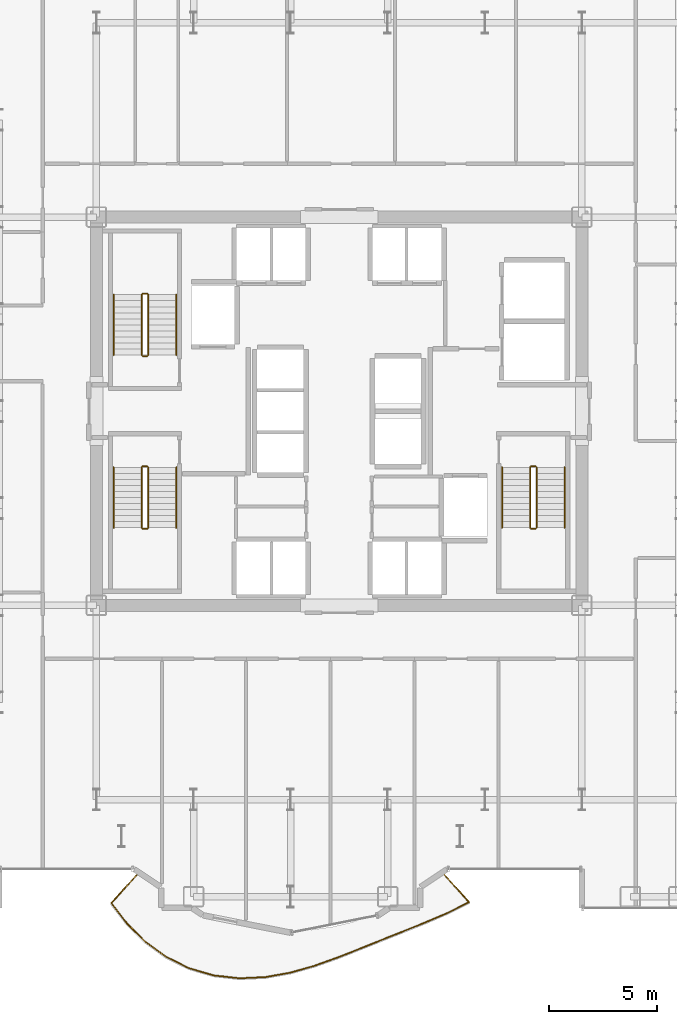
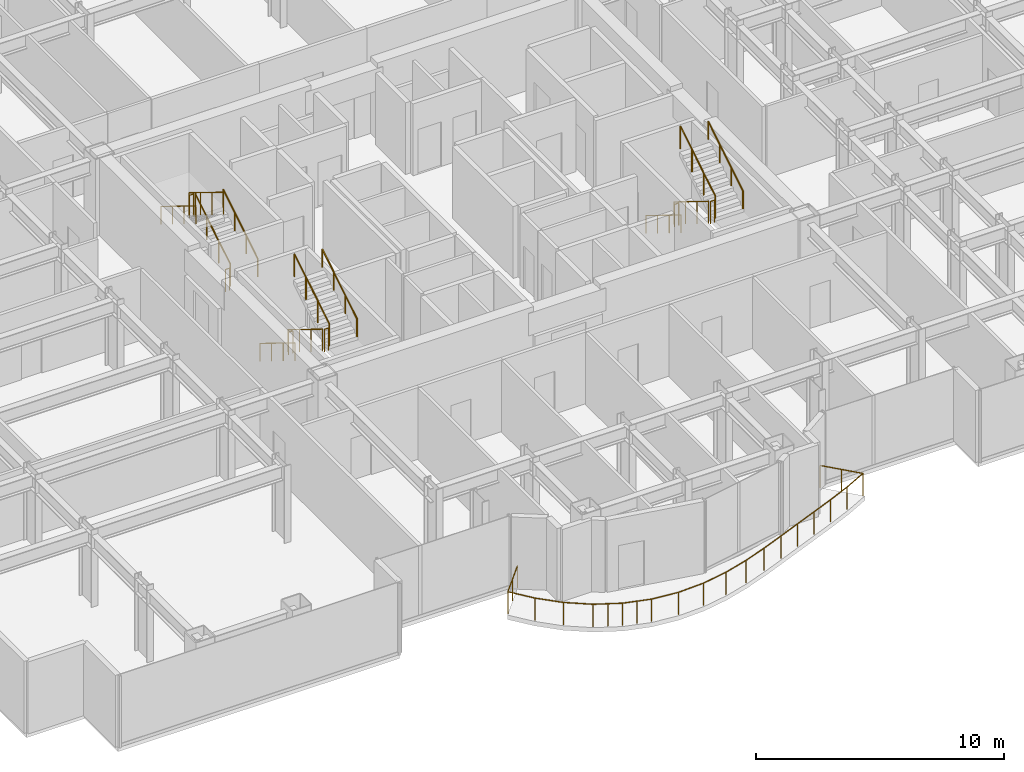
# One storey, part 28 of 29: 19 railings.
"""IFC4 building model written with IfcOpenShell, lengths in metres."""

from ifc_helpers import new_model, si_unit, direction, frame, origin, origin_2d, place, context, subcontext, project, spatial, circle, extrude, material, type_object, element, save


model = new_model("IFC4")

# Units and contexts
model_context = context("Model", 3, precision=1e-05, world=origin(), true_north=direction((0.0, 1.0)))
body_context = subcontext(model_context, "Body", "Model", "MODEL_VIEW")
ifc_project = project(units=[si_unit("LENGTHUNIT", "METRE"), si_unit("AREAUNIT", "SQUARE_METRE"), si_unit("VOLUMEUNIT", "CUBIC_METRE"), si_unit("PLANEANGLEUNIT", "RADIAN"), si_unit("MASSUNIT", "GRAM", prefix="KILO")], contexts=[model_context])

# Site, building, storey
site_placement = place(None, origin())
site = spatial("IfcSite", under=ifc_project, at=site_placement, CompositionType="ELEMENT")
building_placement = place(site_placement, origin())
building = spatial("IfcBuilding", under=site, at=building_placement, Name="Nefas-Gora Pilgrimage Tower", CompositionType="ELEMENT")
storey_placement = place(building_placement, frame((0.0, 0.0, 90.800048828125)))
storey = spatial("IfcBuildingStorey", under=building, at=storey_placement, Name="L21", CompositionType="ELEMENT", Elevation=90.800048828125)

# Railings
ifc_material_1 = material(Name="Laminated safety glass and stainless steel", Category="steel")
railing_type_1 = type_object("IfcRailingType", Name="RLG-BAL-1100", PredefinedType="BALUSTRADE", material=ifc_material_1)
railing_1_placement = place(storey_placement, frame((-9.302490234375, -21.402587890625, 0.0)))
element("IfcRailing", 1, at=railing_1_placement, inside=storey, type_object=railing_type_1, Name="L21 Wave Balcony Balustrade S2", PredefinedType="BALUSTRADE", context=body_context, shape_type="SweptSolid", body=[
    extrude(circle(Radius=0.02392578125, at=origin_2d()), frame((0.0, 0.0, 1.09619140625), z_axis=(-0.669129721026, -0.743145622634, 0.0), x_axis=(0.743145622634, -0.669129721026, 0.0)), (0.0, 0.0, 1.0), 1.880126953125),
    extrude(circle(Radius=0.02392578125, at=origin_2d()), frame((-1.258056640625, -1.397216796875, 1.09619140625), z_axis=(0.611200063939, -0.791476141044, 0.0), x_axis=(0.791476141044, 0.611200063939, 0.0)), (0.0, 0.0, 1.0), 1.179443359375),
    extrude(circle(Radius=0.02392578125, at=origin_2d()), frame((-0.537109375, -2.330810546875, 1.09619140625), z_axis=(0.707209030738, -0.707004516848, 0.0), x_axis=(0.707004516848, 0.707209030738, 0.0)), (0.0, 0.0, 1.0), 1.19384765625),
    extrude(circle(Radius=0.02392578125, at=origin_2d()), frame((0.30712890625, -3.1748046875, 1.09619140625), z_axis=(0.807148617314, -0.590348295135, 0.0), x_axis=(0.590348295135, 0.807148617314, 0.0)), (0.0, 0.0, 1.0), 1.19921875),
    extrude(circle(Radius=0.02392578125, at=origin_2d()), frame((1.275146484375, -3.8828125, 1.09619140625), z_axis=(0.896048232133, -0.443956716011, 0.0), x_axis=(0.443956716011, 0.896048232133, 0.0)), (0.0, 0.0, 1.0), 1.200439453125),
    extrude(circle(Radius=0.02392578125, at=origin_2d()), frame((2.350830078125, -4.415771484375, 1.09619140625), z_axis=(0.960465578019, -0.278398766951, 0.0), x_axis=(0.278398766951, 0.960465578019, 0.0)), (0.0, 0.0, 1.0), 1.200439453125),
    extrude(circle(Radius=0.02392578125, at=origin_2d()), frame((3.50390625, -4.75, 1.09619140625), z_axis=(0.994009663553, -0.109292217307, 0.0), x_axis=(0.109292217307, 0.994009663553, 0.0)), (0.0, 0.0, 1.0), 1.199462890625),
    extrude(circle(Radius=0.02392578125, at=origin_2d()), frame((4.6962890625, -4.881103515625, 1.09619140625), z_axis=(0.998903921138, 0.046807652535, 0.0), x_axis=(-0.046807652535, 0.998903921138, 0.0)), (0.0, 0.0, 1.0), 1.1943359375),
    extrude(circle(Radius=0.02392578125, at=origin_2d()), frame((5.889404296875, -4.8251953125, 1.09619140625), z_axis=(0.984273970402, 0.176648665973, 0.0), x_axis=(-0.176648665973, 0.984273970402, 0.0)), (0.0, 0.0, 1.0), 1.181640625),
    extrude(circle(Radius=0.02392578125, at=origin_2d()), frame((7.052490234375, -4.616455078125, 1.09619140625), z_axis=(0.961722400744, 0.274025589875, 0.0), x_axis=(-0.274025589875, 0.961722400744, 0.0)), (0.0, 0.0, 1.0), 1.1591796875),
    extrude(circle(Radius=0.02392578125, at=origin_2d()), frame((8.167236328125, -4.298828125, 1.09619140625), z_axis=(0.941629347278, 0.336651410726, 0.0), x_axis=(-0.336651410726, 0.941629347278, 0.0)), (0.0, 0.0, 1.0), 1.129150390625),
    extrude(circle(Radius=0.02392578125, at=origin_2d()), frame((9.23046875, -3.918701171875, 1.09619140625), z_axis=(0.929909498538, 0.367788423592, 0.0), x_axis=(-0.367788423592, 0.929909498538, 0.0)), (0.0, 0.0, 1.0), 1.099365234375),
    extrude(circle(Radius=0.02392578125, at=origin_2d()), frame((10.252685546875, -3.514404296875, 1.09619140625), z_axis=(0.927160236692, 0.374665044403, 0.0), x_axis=(-0.374665044403, 0.927160236692, 0.0)), (0.0, 0.0, 1.0), 1.0791015625),
    extrude(circle(Radius=0.02392578125, at=origin_2d()), frame((11.253173828125, -3.110107421875, 1.09619140625), z_axis=(0.928883068163, 0.370373116844, 0.0), x_axis=(-0.370373116844, 0.928883068163, 0.0)), (0.0, 0.0, 1.0), 1.07568359375),
    extrude(circle(Radius=0.02392578125, at=origin_2d()), frame((12.25244140625, -2.711669921875, 1.09619140625), z_axis=(0.928183190328, 0.372123588601, 0.0), x_axis=(-0.372123588601, 0.928183190328, 0.0)), (0.0, 0.0, 1.0), 1.091064453125),
    extrude(circle(Radius=0.02392578125, at=origin_2d()), frame((13.26513671875, -2.3056640625, 1.09619140625), z_axis=(0.919111174096, 0.393998286356, 0.0), x_axis=(-0.393998286356, 0.919111174096, 0.0)), (0.0, 0.0, 1.0), 1.119140625),
    extrude(circle(Radius=0.02392578125, at=origin_2d()), frame((14.293701171875, -1.86474609375, 1.09619140625), z_axis=(0.895992473093, 0.444069238026, 0.0), x_axis=(-0.444069238026, 0.895992473093, 0.0)), (0.0, 0.0, 1.0), 1.150146484375),
    extrude(circle(Radius=0.02392578125, at=origin_2d()), frame((15.32421875, -1.35400390625, 1.09619140625), z_axis=(-0.669157184217, 0.743120893806, 0.0), x_axis=(-0.743120893806, -0.669157184217, 0.0)), (0.0, 0.0, 1.0), 1.822021484375),
    extrude(circle(Radius=0.02099609375, at=origin_2d()), origin(), (0.0, 0.0, 1.0), 1.072021484375),
    extrude(circle(Radius=0.02099609375, at=origin_2d()), frame((-0.62890625, -0.69873046875, 0.0)), (0.0, 0.0, 1.0), 1.072021484375),
    extrude(circle(Radius=0.02099609375, at=origin_2d()), frame((-1.258056640625, -1.397216796875, 0.0)), (0.0, 0.0, 1.0), 1.072021484375),
    extrude(circle(Radius=0.02099609375, at=origin_2d()), frame((-0.537109375, -2.330810546875, 0.0)), (0.0, 0.0, 1.0), 1.072021484375),
    extrude(circle(Radius=0.02099609375, at=origin_2d()), frame((0.30712890625, -3.1748046875, 0.0)), (0.0, 0.0, 1.0), 1.072021484375),
    extrude(circle(Radius=0.02099609375, at=origin_2d()), frame((1.275146484375, -3.8828125, 0.0)), (0.0, 0.0, 1.0), 1.072021484375),
    extrude(circle(Radius=0.02099609375, at=origin_2d()), frame((1.81298828125, -4.1494140625, 0.0)), (0.0, 0.0, 1.0), 1.072021484375),
    extrude(circle(Radius=0.02099609375, at=origin_2d()), frame((2.350830078125, -4.415771484375, 0.0)), (0.0, 0.0, 1.0), 1.072021484375),
    extrude(circle(Radius=0.02099609375, at=origin_2d()), frame((2.92724609375, -4.5830078125, 0.0)), (0.0, 0.0, 1.0), 1.072021484375),
    extrude(circle(Radius=0.02099609375, at=origin_2d()), frame((3.50390625, -4.75, 0.0)), (0.0, 0.0, 1.0), 1.072021484375),
    extrude(circle(Radius=0.02099609375, at=origin_2d()), frame((4.6962890625, -4.881103515625, 0.0)), (0.0, 0.0, 1.0), 1.072021484375),
    extrude(circle(Radius=0.02099609375, at=origin_2d()), frame((5.889404296875, -4.8251953125, 0.0)), (0.0, 0.0, 1.0), 1.072021484375),
    extrude(circle(Radius=0.02099609375, at=origin_2d()), frame((7.052490234375, -4.616455078125, 0.0)), (0.0, 0.0, 1.0), 1.072021484375),
    extrude(circle(Radius=0.02099609375, at=origin_2d()), frame((8.167236328125, -4.298828125, 0.0)), (0.0, 0.0, 1.0), 1.072021484375),
    extrude(circle(Radius=0.02099609375, at=origin_2d()), frame((9.23046875, -3.918701171875, 0.0)), (0.0, 0.0, 1.0), 1.072021484375),
    extrude(circle(Radius=0.02099609375, at=origin_2d()), frame((10.252685546875, -3.514404296875, 0.0)), (0.0, 0.0, 1.0), 1.072021484375),
    extrude(circle(Radius=0.02099609375, at=origin_2d()), frame((11.253173828125, -3.110107421875, 0.0)), (0.0, 0.0, 1.0), 1.072021484375),
    extrude(circle(Radius=0.02099609375, at=origin_2d()), frame((12.25244140625, -2.711669921875, 0.0)), (0.0, 0.0, 1.0), 1.072021484375),
    extrude(circle(Radius=0.02099609375, at=origin_2d()), frame((13.26513671875, -2.3056640625, 0.0)), (0.0, 0.0, 1.0), 1.072021484375),
    extrude(circle(Radius=0.02099609375, at=origin_2d()), frame((14.293701171875, -1.86474609375, 0.0)), (0.0, 0.0, 1.0), 1.072021484375),
    extrude(circle(Radius=0.02099609375, at=origin_2d()), frame((15.32421875, -1.35400390625, 0.0)), (0.0, 0.0, 1.0), 1.072021484375),
    extrude(circle(Radius=0.02099609375, at=origin_2d()), frame((14.714599609375, -0.677001953125, 0.0)), (0.0, 0.0, 1.0), 1.072021484375),
    extrude(circle(Radius=0.02099609375, at=origin_2d()), frame((14.10498046875, 0.0, 0.0)), (0.0, 0.0, 1.0), 1.072021484375),
])
ifc_material_2 = material(Name="Painted galvanised steel", Category="steel")
railing_type_2 = type_object("IfcRailingType", Name="RLG-STR-GUARD-1100", PredefinedType="GUARDRAIL", material=ifc_material_2)
railing_2_placement = place(storey_placement, frame((-8.85009765625, 2.60009765625, 0.172607421875)))
element("IfcRailing", 2, at=railing_2_placement, inside=storey, type_object=railing_type_2, Name="L21 ST-01 stair guard 1", PredefinedType="GUARDRAIL", context=body_context, shape_type="SweptSolid", body=[
    extrude(circle(Radius=0.02392578125, at=origin_2d()), frame((0.0, 0.0, 1.09619140625), z_axis=(0.0, 0.851069175582, 0.525053576669), x_axis=(-1.0, 0.0, 0.0)), (0.0, 0.0, 1.0), 3.289794921875),
    extrude(circle(Radius=0.02099609375, at=origin_2d()), origin(), (0.0, 0.0, 1.0), 1.072021484375),
    extrude(circle(Radius=0.02099609375, at=origin_2d()), frame((0.0, 0.933349609375, 0.57568359375)), (0.0, 0.0, 1.0), 1.072021484375),
    extrude(circle(Radius=0.02099609375, at=origin_2d()), frame((0.0, 1.866455078125, 1.151611328125)), (0.0, 0.0, 1.0), 1.072021484375),
    extrude(circle(Radius=0.02099609375, at=origin_2d()), frame((0.0, 2.7998046875, 1.727294921875)), (0.0, 0.0, 1.0), 1.072021484375),
])
railing_3_placement = place(storey_placement, frame((-8.89990234375, 5.449951171875, 1.89990234375)))
element("IfcRailing", 3, at=railing_3_placement, inside=storey, type_object=railing_type_2, Name="L21 ST-01 stair guard 2", PredefinedType="GUARDRAIL", context=body_context, shape_type="SweptSolid", body=[
    extrude(circle(Radius=0.02392578125, at=origin_2d()), frame((0.0, 0.0, 1.09619140625), z_axis=(-1.0, 0.0, 0.0), x_axis=(0.0, -1.0, 0.0)), (0.0, 0.0, 1.0), 0.2001953125),
    extrude(circle(Radius=0.02099609375, at=origin_2d()), origin(), (0.0, 0.0, 1.0), 1.072021484375),
    extrude(circle(Radius=0.02099609375, at=origin_2d()), frame((-0.2001953125, 0.0, 0.0)), (0.0, 0.0, 1.0), 1.072021484375),
])
railing_4_placement = place(storey_placement, frame((-9.14990234375, 5.39990234375, 2.07275390625)))
element("IfcRailing", 4, at=railing_4_placement, inside=storey, type_object=railing_type_2, Name="L21 ST-01 stair guard 3", PredefinedType="GUARDRAIL", context=body_context, shape_type="SweptSolid", body=[
    extrude(circle(Radius=0.02392578125, at=origin_2d()), frame((0.0, 0.0, 1.09619140625), z_axis=(0.0, -0.851069175582, 0.525053576669), x_axis=(1.0, 0.0, 0.0)), (0.0, 0.0, 1.0), 3.289794921875),
    extrude(circle(Radius=0.02099609375, at=origin_2d()), origin(), (0.0, 0.0, 1.0), 1.072021484375),
    extrude(circle(Radius=0.02099609375, at=origin_2d()), frame((0.0, -0.933349609375, 0.57568359375)), (0.0, 0.0, 1.0), 1.072021484375),
    extrude(circle(Radius=0.02099609375, at=origin_2d()), frame((0.0, -1.866455078125, 1.151611328125)), (0.0, 0.0, 1.0), 1.072021484375),
    extrude(circle(Radius=0.02099609375, at=origin_2d()), frame((0.0, -2.7998046875, 1.727294921875)), (0.0, 0.0, 1.0), 1.072021484375),
])
railing_5_placement = place(storey_placement, frame((-8.89990234375, 2.550048828125, 0.0)))
element("IfcRailing", 5, at=railing_5_placement, inside=storey, type_object=railing_type_2, Name="L21 ST-01 stair guard 4", PredefinedType="GUARDRAIL", context=body_context, shape_type="SweptSolid", body=[
    extrude(circle(Radius=0.02392578125, at=origin_2d()), frame((0.0, 0.0, 1.09619140625), z_axis=(-1.0, 0.0, 0.0), x_axis=(0.0, -1.0, 0.0)), (0.0, 0.0, 1.0), 0.2001953125),
    extrude(circle(Radius=0.02099609375, at=origin_2d()), origin(), (0.0, 0.0, 1.0), 1.072021484375),
    extrude(circle(Radius=0.02099609375, at=origin_2d()), frame((-0.2001953125, 0.0, 0.0)), (0.0, 0.0, 1.0), 1.072021484375),
])
railing_6_placement = place(storey_placement, frame((8.85009765625, -2.60009765625, 0.172607421875)))
element("IfcRailing", 6, at=railing_6_placement, inside=storey, type_object=railing_type_2, Name="L21 ST-02 stair guard 1", PredefinedType="GUARDRAIL", context=body_context, shape_type="SweptSolid", body=[
    extrude(circle(Radius=0.02392578125, at=origin_2d()), frame((0.0, 0.0, 1.09619140625), z_axis=(0.0, -0.851069175582, 0.525053576669), x_axis=(1.0, 0.0, 0.0)), (0.0, 0.0, 1.0), 3.289794921875),
    extrude(circle(Radius=0.02099609375, at=origin_2d()), origin(), (0.0, 0.0, 1.0), 1.072021484375),
    extrude(circle(Radius=0.02099609375, at=origin_2d()), frame((0.0, -0.933349609375, 0.57568359375)), (0.0, 0.0, 1.0), 1.072021484375),
    extrude(circle(Radius=0.02099609375, at=origin_2d()), frame((0.0, -1.866455078125, 1.151611328125)), (0.0, 0.0, 1.0), 1.072021484375),
    extrude(circle(Radius=0.02099609375, at=origin_2d()), frame((0.0, -2.7998046875, 1.727294921875)), (0.0, 0.0, 1.0), 1.072021484375),
])
railing_7_placement = place(storey_placement, frame((8.89990234375, -5.449951171875, 1.89990234375)))
element("IfcRailing", 7, at=railing_7_placement, inside=storey, type_object=railing_type_2, Name="L21 ST-02 stair guard 2", PredefinedType="GUARDRAIL", context=body_context, shape_type="SweptSolid", body=[
    extrude(circle(Radius=0.02392578125, at=origin_2d()), frame((0.0, 0.0, 1.09619140625), z_axis=(1.0, 0.0, 0.0), x_axis=(0.0, 1.0, 0.0)), (0.0, 0.0, 1.0), 0.2001953125),
    extrude(circle(Radius=0.02099609375, at=origin_2d()), origin(), (0.0, 0.0, 1.0), 1.072021484375),
    extrude(circle(Radius=0.02099609375, at=origin_2d()), frame((0.2001953125, 0.0, 0.0)), (0.0, 0.0, 1.0), 1.072021484375),
])
railing_8_placement = place(storey_placement, frame((9.14990234375, -5.39990234375, 2.07275390625)))
element("IfcRailing", 8, at=railing_8_placement, inside=storey, type_object=railing_type_2, Name="L21 ST-02 stair guard 3", PredefinedType="GUARDRAIL", context=body_context, shape_type="SweptSolid", body=[
    extrude(circle(Radius=0.02392578125, at=origin_2d()), frame((0.0, 0.0, 1.09619140625), z_axis=(0.0, 0.851069175582, 0.525053576669), x_axis=(-1.0, 0.0, 0.0)), (0.0, 0.0, 1.0), 3.289794921875),
    extrude(circle(Radius=0.02099609375, at=origin_2d()), origin(), (0.0, 0.0, 1.0), 1.072021484375),
    extrude(circle(Radius=0.02099609375, at=origin_2d()), frame((0.0, 0.933349609375, 0.57568359375)), (0.0, 0.0, 1.0), 1.072021484375),
    extrude(circle(Radius=0.02099609375, at=origin_2d()), frame((0.0, 1.866455078125, 1.151611328125)), (0.0, 0.0, 1.0), 1.072021484375),
    extrude(circle(Radius=0.02099609375, at=origin_2d()), frame((0.0, 2.7998046875, 1.727294921875)), (0.0, 0.0, 1.0), 1.072021484375),
])
railing_9_placement = place(storey_placement, frame((8.89990234375, -2.550048828125, 0.0)))
element("IfcRailing", 9, at=railing_9_placement, inside=storey, type_object=railing_type_2, Name="L21 ST-02 stair guard 4", PredefinedType="GUARDRAIL", context=body_context, shape_type="SweptSolid", body=[
    extrude(circle(Radius=0.02392578125, at=origin_2d()), frame((0.0, 0.0, 1.09619140625), z_axis=(1.0, 0.0, 0.0), x_axis=(0.0, 1.0, 0.0)), (0.0, 0.0, 1.0), 0.2001953125),
    extrude(circle(Radius=0.02099609375, at=origin_2d()), origin(), (0.0, 0.0, 1.0), 1.072021484375),
    extrude(circle(Radius=0.02099609375, at=origin_2d()), frame((0.2001953125, 0.0, 0.0)), (0.0, 0.0, 1.0), 1.072021484375),
])
railing_10_placement = place(storey_placement, frame((-9.14990234375, -2.60009765625, 0.172607421875)))
element("IfcRailing", 10, at=railing_10_placement, inside=storey, type_object=railing_type_2, Name="L21 ST-03 stair guard 1", PredefinedType="GUARDRAIL", context=body_context, shape_type="SweptSolid", body=[
    extrude(circle(Radius=0.02392578125, at=origin_2d()), frame((0.0, 0.0, 1.09619140625), z_axis=(0.0, -0.851069175582, 0.525053576669), x_axis=(1.0, 0.0, 0.0)), (0.0, 0.0, 1.0), 3.289794921875),
    extrude(circle(Radius=0.02099609375, at=origin_2d()), origin(), (0.0, 0.0, 1.0), 1.072021484375),
    extrude(circle(Radius=0.02099609375, at=origin_2d()), frame((0.0, -0.933349609375, 0.57568359375)), (0.0, 0.0, 1.0), 1.072021484375),
    extrude(circle(Radius=0.02099609375, at=origin_2d()), frame((0.0, -1.866455078125, 1.151611328125)), (0.0, 0.0, 1.0), 1.072021484375),
    extrude(circle(Radius=0.02099609375, at=origin_2d()), frame((0.0, -2.7998046875, 1.727294921875)), (0.0, 0.0, 1.0), 1.072021484375),
])
railing_11_placement = place(storey_placement, frame((-9.10009765625, -5.449951171875, 1.89990234375)))
element("IfcRailing", 11, at=railing_11_placement, inside=storey, type_object=railing_type_2, Name="L21 ST-03 stair guard 2", PredefinedType="GUARDRAIL", context=body_context, shape_type="SweptSolid", body=[
    extrude(circle(Radius=0.02392578125, at=origin_2d()), frame((0.0, 0.0, 1.09619140625), z_axis=(1.0, 0.0, 0.0), x_axis=(0.0, 1.0, 0.0)), (0.0, 0.0, 1.0), 0.2001953125),
    extrude(circle(Radius=0.02099609375, at=origin_2d()), origin(), (0.0, 0.0, 1.0), 1.072021484375),
    extrude(circle(Radius=0.02099609375, at=origin_2d()), frame((0.2001953125, 0.0, 0.0)), (0.0, 0.0, 1.0), 1.072021484375),
])
railing_12_placement = place(storey_placement, frame((-8.85009765625, -5.39990234375, 2.07275390625)))
element("IfcRailing", 12, at=railing_12_placement, inside=storey, type_object=railing_type_2, Name="L21 ST-03 stair guard 3", PredefinedType="GUARDRAIL", context=body_context, shape_type="SweptSolid", body=[
    extrude(circle(Radius=0.02392578125, at=origin_2d()), frame((0.0, 0.0, 1.09619140625), z_axis=(0.0, 0.851069175582, 0.525053576669), x_axis=(-1.0, 0.0, 0.0)), (0.0, 0.0, 1.0), 3.289794921875),
    extrude(circle(Radius=0.02099609375, at=origin_2d()), origin(), (0.0, 0.0, 1.0), 1.072021484375),
    extrude(circle(Radius=0.02099609375, at=origin_2d()), frame((0.0, 0.933349609375, 0.57568359375)), (0.0, 0.0, 1.0), 1.072021484375),
    extrude(circle(Radius=0.02099609375, at=origin_2d()), frame((0.0, 1.866455078125, 1.151611328125)), (0.0, 0.0, 1.0), 1.072021484375),
    extrude(circle(Radius=0.02099609375, at=origin_2d()), frame((0.0, 2.7998046875, 1.727294921875)), (0.0, 0.0, 1.0), 1.072021484375),
])
railing_13_placement = place(storey_placement, frame((-9.10009765625, -2.550048828125, 0.0)))
element("IfcRailing", 13, at=railing_13_placement, inside=storey, type_object=railing_type_2, Name="L21 ST-03 stair guard 4", PredefinedType="GUARDRAIL", context=body_context, shape_type="SweptSolid", body=[
    extrude(circle(Radius=0.02392578125, at=origin_2d()), frame((0.0, 0.0, 1.09619140625), z_axis=(1.0, 0.0, 0.0), x_axis=(0.0, 1.0, 0.0)), (0.0, 0.0, 1.0), 0.2001953125),
    extrude(circle(Radius=0.02099609375, at=origin_2d()), origin(), (0.0, 0.0, 1.0), 1.072021484375),
    extrude(circle(Radius=0.02099609375, at=origin_2d()), frame((0.2001953125, 0.0, 0.0)), (0.0, 0.0, 1.0), 1.072021484375),
])
ifc_material_3 = material(Name="Brushed stainless steel", Category="steel")
railing_type_3 = type_object("IfcRailingType", Name="RLG-STR-HAND-900", PredefinedType="HANDRAIL", material=ifc_material_3)
railing_14_placement = place(storey_placement, frame((-7.550048828125, 2.60009765625, 0.172607421875)))
element("IfcRailing", 14, at=railing_14_placement, inside=storey, type_object=railing_type_3, Name="L21 ST-01 stair handrail 1", PredefinedType="HANDRAIL", context=body_context, shape_type="SweptSolid", body=[
    extrude(circle(Radius=0.02392578125, at=origin_2d()), frame((0.0, 0.0, 0.8759765625), z_axis=(0.0, 0.851069175582, 0.525053576669), x_axis=(-1.0, 0.0, 0.0)), (0.0, 0.0, 1.0), 3.289794921875),
    extrude(circle(Radius=0.02099609375, at=origin_2d()), origin(), (0.0, 0.0, 1.0), 0.851806640625),
    extrude(circle(Radius=0.02099609375, at=origin_2d()), frame((0.0, 0.933349609375, 0.57568359375)), (0.0, 0.0, 1.0), 0.851806640625),
    extrude(circle(Radius=0.02099609375, at=origin_2d()), frame((0.0, 1.866455078125, 1.151611328125)), (0.0, 0.0, 1.0), 0.851806640625),
    extrude(circle(Radius=0.02099609375, at=origin_2d()), frame((0.0, 2.7998046875, 1.727294921875)), (0.0, 0.0, 1.0), 0.851806640625),
])
for number, where, name in (
    (15, (-10.449951171875, 5.39990234375, 2.07275390625), "L21 ST-01 stair handrail 2"),
    (16, (7.550048828125, -2.60009765625, 0.172607421875), "L21 ST-02 stair handrail 1"),
):
    element("IfcRailing", number, at=place(storey_placement, frame(where)), inside=storey, type_object=railing_type_3, Name=name, PredefinedType="HANDRAIL", context=body_context, shape_type="SweptSolid", body=[
        extrude(circle(Radius=0.02392578125, at=origin_2d()), frame((0.0, 0.0, 0.8759765625), z_axis=(0.0, -0.851069175582, 0.525053576669), x_axis=(1.0, 0.0, 0.0)), (0.0, 0.0, 1.0), 3.289794921875),
        extrude(circle(Radius=0.02099609375, at=origin_2d()), origin(), (0.0, 0.0, 1.0), 0.851806640625),
        extrude(circle(Radius=0.02099609375, at=origin_2d()), frame((0.0, -0.933349609375, 0.57568359375)), (0.0, 0.0, 1.0), 0.851806640625),
        extrude(circle(Radius=0.02099609375, at=origin_2d()), frame((0.0, -1.866455078125, 1.151611328125)), (0.0, 0.0, 1.0), 0.851806640625),
        extrude(circle(Radius=0.02099609375, at=origin_2d()), frame((0.0, -2.7998046875, 1.727294921875)), (0.0, 0.0, 1.0), 0.851806640625),
    ])
railing_15_placement = place(storey_placement, frame((10.449951171875, -5.39990234375, 2.07275390625)))
element("IfcRailing", 17, at=railing_15_placement, inside=storey, type_object=railing_type_3, Name="L21 ST-02 stair handrail 2", PredefinedType="HANDRAIL", context=body_context, shape_type="SweptSolid", body=[
    extrude(circle(Radius=0.02392578125, at=origin_2d()), frame((0.0, 0.0, 0.8759765625), z_axis=(0.0, 0.851069175582, 0.525053576669), x_axis=(-1.0, 0.0, 0.0)), (0.0, 0.0, 1.0), 3.289794921875),
    extrude(circle(Radius=0.02099609375, at=origin_2d()), origin(), (0.0, 0.0, 1.0), 0.851806640625),
    extrude(circle(Radius=0.02099609375, at=origin_2d()), frame((0.0, 0.933349609375, 0.57568359375)), (0.0, 0.0, 1.0), 0.851806640625),
    extrude(circle(Radius=0.02099609375, at=origin_2d()), frame((0.0, 1.866455078125, 1.151611328125)), (0.0, 0.0, 1.0), 0.851806640625),
    extrude(circle(Radius=0.02099609375, at=origin_2d()), frame((0.0, 2.7998046875, 1.727294921875)), (0.0, 0.0, 1.0), 0.851806640625),
])
railing_16_placement = place(storey_placement, frame((-10.449951171875, -2.60009765625, 0.172607421875)))
element("IfcRailing", 18, at=railing_16_placement, inside=storey, type_object=railing_type_3, Name="L21 ST-03 stair handrail 1", PredefinedType="HANDRAIL", context=body_context, shape_type="SweptSolid", body=[
    extrude(circle(Radius=0.02392578125, at=origin_2d()), frame((0.0, 0.0, 0.8759765625), z_axis=(0.0, -0.851069175582, 0.525053576669), x_axis=(1.0, 0.0, 0.0)), (0.0, 0.0, 1.0), 3.289794921875),
    extrude(circle(Radius=0.02099609375, at=origin_2d()), origin(), (0.0, 0.0, 1.0), 0.851806640625),
    extrude(circle(Radius=0.02099609375, at=origin_2d()), frame((0.0, -0.933349609375, 0.57568359375)), (0.0, 0.0, 1.0), 0.851806640625),
    extrude(circle(Radius=0.02099609375, at=origin_2d()), frame((0.0, -1.866455078125, 1.151611328125)), (0.0, 0.0, 1.0), 0.851806640625),
    extrude(circle(Radius=0.02099609375, at=origin_2d()), frame((0.0, -2.7998046875, 1.727294921875)), (0.0, 0.0, 1.0), 0.851806640625),
])
railing_17_placement = place(storey_placement, frame((-7.550048828125, -5.39990234375, 2.07275390625)))
element("IfcRailing", 19, at=railing_17_placement, inside=storey, type_object=railing_type_3, Name="L21 ST-03 stair handrail 2", PredefinedType="HANDRAIL", context=body_context, shape_type="SweptSolid", body=[
    extrude(circle(Radius=0.02392578125, at=origin_2d()), frame((0.0, 0.0, 0.8759765625), z_axis=(0.0, 0.851069175582, 0.525053576669), x_axis=(-1.0, 0.0, 0.0)), (0.0, 0.0, 1.0), 3.289794921875),
    extrude(circle(Radius=0.02099609375, at=origin_2d()), origin(), (0.0, 0.0, 1.0), 0.851806640625),
    extrude(circle(Radius=0.02099609375, at=origin_2d()), frame((0.0, 0.933349609375, 0.57568359375)), (0.0, 0.0, 1.0), 0.851806640625),
    extrude(circle(Radius=0.02099609375, at=origin_2d()), frame((0.0, 1.866455078125, 1.151611328125)), (0.0, 0.0, 1.0), 0.851806640625),
    extrude(circle(Radius=0.02099609375, at=origin_2d()), frame((0.0, 2.7998046875, 1.727294921875)), (0.0, 0.0, 1.0), 0.851806640625),
])

save(model, "model.ifc")
